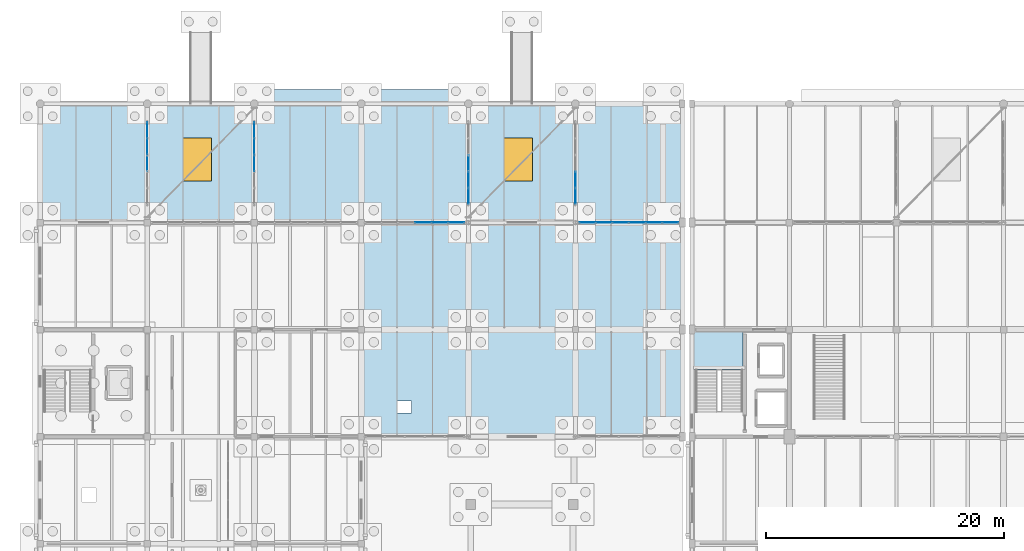
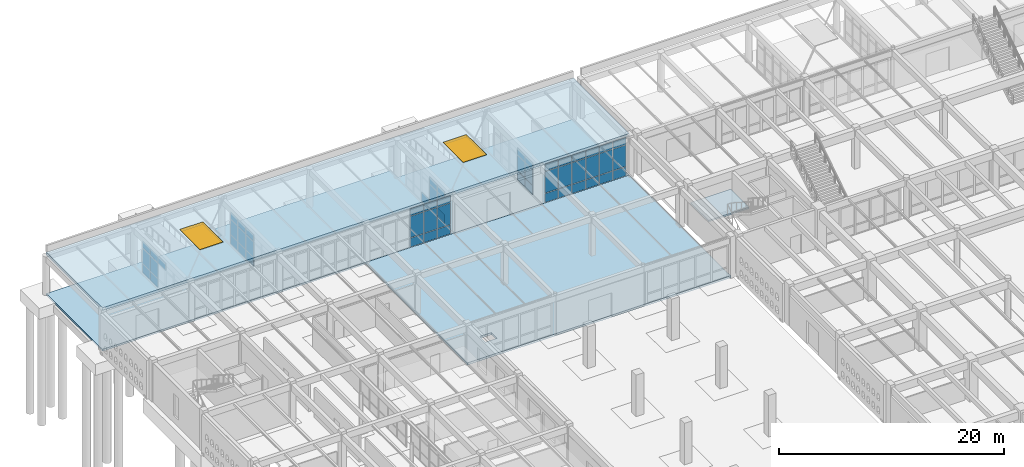
# One storey, part 146 of 186: 56 plates, 4 slabs, 2 windows, 2 openings, 7 elements without a shape of their own.
"""IFC4 building model written with IfcOpenShell, lengths in metres."""

from ifc_helpers import new_model, si_unit, direction, frame, origin, origin_2d, place, context, subcontext, project, spatial, polyline, rectangle, outline, extrude, material, layer, layer_set, type_object, element, fill, aggregate, save


model = new_model("IFC4")

# Units and contexts
model_context = context("Model", 3, precision=1e-05, world=origin(), true_north=direction((0.0, 1.0)))
body_context = subcontext(model_context, "Body", "Model", "MODEL_VIEW")
ifc_project = project(units=[si_unit("LENGTHUNIT", "METRE"), si_unit("AREAUNIT", "SQUARE_METRE"), si_unit("VOLUMEUNIT", "CUBIC_METRE"), si_unit("PLANEANGLEUNIT", "RADIAN"), si_unit("MASSUNIT", "GRAM", prefix="KILO")], contexts=[model_context])

# Site, building, storey
site_placement = place(None, origin())
site = spatial("IfcSite", under=ifc_project, at=site_placement, CompositionType="ELEMENT")
building_placement = place(site_placement, origin())
building = spatial("IfcBuilding", under=site, at=building_placement, Name="Ornek Quay Market", CompositionType="ELEMENT")
storey_placement = place(building_placement, origin())
storey = spatial("IfcBuildingStorey", under=building, at=storey_placement, Name="L00", CompositionType="ELEMENT", Elevation=0.0)

# Curtain wall, plates
ifc_material_1 = material(Name="Anodised bronze aluminium and triple low-e glass", Category="aluminium")
ifc_layer_1 = layer(ifc_material_1, 0.179931640625, Name="Anodised bronze aluminium and triple low-e glass", Category="aluminium")
ifc_layer_set_1 = layer_set([ifc_layer_1], Name="Anodised bronze aluminium and triple low-e glass")
curtain_wall_type_1 = type_object("IfcCurtainWallType", Name="CW-CONC-MOD1500", PredefinedType="USERDEFINED", material=ifc_layer_set_1)
curtain_wall_1_placement = place(storey_placement, origin())
curtain_wall_1 = element("IfcCurtainWall", 1, at=curtain_wall_1_placement, inside=storey, type_object=curtain_wall_type_1, Name="Curtain wall CW-005", ObjectType="CURTAIN WALL", PredefinedType="USERDEFINED")
ifc_material_2 = material(Name="Triple insulated low-e glass", Category="glass")
ifc_layer_2 = layer(ifc_material_2, 0.035888671875, Name="Triple insulated low-e glass", Category="glass")
ifc_layer_set_2 = layer_set([ifc_layer_2], Name="Triple insulated low-e glass")
plate_type = type_object("IfcPlateType", Name="PL-CW-TRIPLE-36", PredefinedType="CURTAIN_PANEL", material=ifc_layer_set_2)
plate_1_placement = place(storey_placement, frame((32.199951171875, 110.0, 0.06005859375), z_axis=(0.0, 0.0, 1.0), x_axis=(1.0, 0.0, 0.0)))
plate_1 = element("IfcPlate", 2, at=plate_1_placement, type_object=plate_type, Name="CW-005 panel 4.1", PredefinedType="CURTAIN_PANEL", context=body_context, shape_type="SweptSolid", body=[
    extrude(rectangle(XDim=1.340087890625, YDim=0.035888671875, at=origin_2d()), origin(), (0.0, 0.0, 1.0), 0.9599609375),
])
plate_2_placement = place(storey_placement, frame((32.199951171875, 110.0, 1.080078125), z_axis=(0.0, 0.0, 1.0), x_axis=(1.0, 0.0, 0.0)))
plate_2 = element("IfcPlate", 3, at=plate_2_placement, type_object=plate_type, Name="CW-005 panel 4.2", PredefinedType="CURTAIN_PANEL", context=body_context, shape_type="SweptSolid", body=[
    extrude(rectangle(XDim=1.340087890625, YDim=0.035888671875, at=origin_2d()), origin(), (0.0, 0.0, 1.0), 2.31005859375),
])
plate_3_placement = place(storey_placement, frame((32.199951171875, 110.0, 3.4501953125), z_axis=(0.0, 0.0, 1.0), x_axis=(1.0, 0.0, 0.0)))
plate_3 = element("IfcPlate", 4, at=plate_3_placement, type_object=plate_type, Name="CW-005 panel 4.3", PredefinedType="CURTAIN_PANEL", context=body_context, shape_type="SweptSolid", body=[
    extrude(rectangle(XDim=1.340087890625, YDim=0.035888671875, at=origin_2d()), origin(), (0.0, 0.0, 1.0), 0.760009765625),
])
plate_4_placement = place(storey_placement, frame((33.60009765625, 110.0, 0.06005859375), z_axis=(0.0, 0.0, 1.0), x_axis=(1.0, 0.0, 0.0)))
plate_4 = element("IfcPlate", 5, at=plate_4_placement, type_object=plate_type, Name="CW-005 panel 5.1", PredefinedType="CURTAIN_PANEL", context=body_context, shape_type="SweptSolid", body=[
    extrude(rectangle(XDim=1.340087890625, YDim=0.035888671875, at=origin_2d()), origin(), (0.0, 0.0, 1.0), 0.9599609375),
])
plate_5_placement = place(storey_placement, frame((33.60009765625, 110.0, 1.080078125), z_axis=(0.0, 0.0, 1.0), x_axis=(1.0, 0.0, 0.0)))
plate_5 = element("IfcPlate", 6, at=plate_5_placement, type_object=plate_type, Name="CW-005 panel 5.2", PredefinedType="CURTAIN_PANEL", context=body_context, shape_type="SweptSolid", body=[
    extrude(rectangle(XDim=1.340087890625, YDim=0.035888671875, at=origin_2d()), origin(), (0.0, 0.0, 1.0), 2.31005859375),
])
plate_6_placement = place(storey_placement, frame((33.60009765625, 110.0, 3.4501953125), z_axis=(0.0, 0.0, 1.0), x_axis=(1.0, 0.0, 0.0)))
plate_6 = element("IfcPlate", 7, at=plate_6_placement, type_object=plate_type, Name="CW-005 panel 5.3", PredefinedType="CURTAIN_PANEL", context=body_context, shape_type="SweptSolid", body=[
    extrude(rectangle(XDim=1.340087890625, YDim=0.035888671875, at=origin_2d()), origin(), (0.0, 0.0, 1.0), 0.760009765625),
])
plate_7_placement = place(storey_placement, frame((34.985107421875, 110.0, 0.06005859375), z_axis=(0.0, 0.0, 1.0), x_axis=(1.0, 0.0, 0.0)))
plate_7 = element("IfcPlate", 8, at=plate_7_placement, type_object=plate_type, Name="CW-005 panel 6.1", PredefinedType="CURTAIN_PANEL", context=body_context, shape_type="SweptSolid", body=[
    extrude(rectangle(XDim=1.31005859375, YDim=0.035888671875, at=origin_2d()), origin(), (0.0, 0.0, 1.0), 0.9599609375),
])
plate_8_placement = place(storey_placement, frame((34.985107421875, 110.0, 1.080078125), z_axis=(0.0, 0.0, 1.0), x_axis=(1.0, 0.0, 0.0)))
plate_8 = element("IfcPlate", 9, at=plate_8_placement, type_object=plate_type, Name="CW-005 panel 6.2", PredefinedType="CURTAIN_PANEL", context=body_context, shape_type="SweptSolid", body=[
    extrude(rectangle(XDim=1.31005859375, YDim=0.035888671875, at=origin_2d()), origin(), (0.0, 0.0, 1.0), 2.31005859375),
])
plate_9_placement = place(storey_placement, frame((34.985107421875, 110.0, 3.4501953125), z_axis=(0.0, 0.0, 1.0), x_axis=(1.0, 0.0, 0.0)))
plate_9 = element("IfcPlate", 10, at=plate_9_placement, type_object=plate_type, Name="CW-005 panel 6.3", PredefinedType="CURTAIN_PANEL", context=body_context, shape_type="SweptSolid", body=[
    extrude(rectangle(XDim=1.31005859375, YDim=0.035888671875, at=origin_2d()), origin(), (0.0, 0.0, 1.0), 0.760009765625),
])
aggregate(curtain_wall_1, [plate_1, plate_2, plate_3, plate_4, plate_5, plate_6, plate_7, plate_8, plate_9])

curtain_wall_2_placement = place(storey_placement, origin())
curtain_wall_2 = element("IfcCurtainWall", 11, at=curtain_wall_2_placement, inside=storey, type_object=curtain_wall_type_1, Name="Curtain wall CW-009", ObjectType="CURTAIN WALL", PredefinedType="USERDEFINED")
plate_10_placement = place(storey_placement, frame((46.014892578125, 110.0, 0.06005859375), z_axis=(0.0, 0.0, 1.0), x_axis=(1.0, 0.0, 0.0)))
plate_10 = element("IfcPlate", 12, at=plate_10_placement, type_object=plate_type, Name="CW-009 panel 1.1", PredefinedType="CURTAIN_PANEL", context=body_context, shape_type="SweptSolid", body=[
    extrude(rectangle(XDim=1.31005859375, YDim=0.035888671875, at=origin_2d()), origin(), (0.0, 0.0, 1.0), 0.9599609375),
])
plate_11_placement = place(storey_placement, frame((46.014892578125, 110.0, 1.080078125), z_axis=(0.0, 0.0, 1.0), x_axis=(1.0, 0.0, 0.0)))
plate_11 = element("IfcPlate", 13, at=plate_11_placement, type_object=plate_type, Name="CW-009 panel 1.2", PredefinedType="CURTAIN_PANEL", context=body_context, shape_type="SweptSolid", body=[
    extrude(rectangle(XDim=1.31005859375, YDim=0.035888671875, at=origin_2d()), origin(), (0.0, 0.0, 1.0), 2.31005859375),
])
plate_12_placement = place(storey_placement, frame((46.014892578125, 110.0, 3.4501953125), z_axis=(0.0, 0.0, 1.0), x_axis=(1.0, 0.0, 0.0)))
plate_12 = element("IfcPlate", 14, at=plate_12_placement, type_object=plate_type, Name="CW-009 panel 1.3", PredefinedType="CURTAIN_PANEL", context=body_context, shape_type="SweptSolid", body=[
    extrude(rectangle(XDim=1.31005859375, YDim=0.035888671875, at=origin_2d()), origin(), (0.0, 0.0, 1.0), 0.760009765625),
])
plate_13_placement = place(storey_placement, frame((47.39990234375, 110.0, 0.06005859375), z_axis=(0.0, 0.0, 1.0), x_axis=(1.0, 0.0, 0.0)))
plate_13 = element("IfcPlate", 15, at=plate_13_placement, type_object=plate_type, Name="CW-009 panel 2.1", PredefinedType="CURTAIN_PANEL", context=body_context, shape_type="SweptSolid", body=[
    extrude(rectangle(XDim=1.340087890625, YDim=0.035888671875, at=origin_2d()), origin(), (0.0, 0.0, 1.0), 0.9599609375),
])
plate_14_placement = place(storey_placement, frame((47.39990234375, 110.0, 1.080078125), z_axis=(0.0, 0.0, 1.0), x_axis=(1.0, 0.0, 0.0)))
plate_14 = element("IfcPlate", 16, at=plate_14_placement, type_object=plate_type, Name="CW-009 panel 2.2", PredefinedType="CURTAIN_PANEL", context=body_context, shape_type="SweptSolid", body=[
    extrude(rectangle(XDim=1.340087890625, YDim=0.035888671875, at=origin_2d()), origin(), (0.0, 0.0, 1.0), 2.31005859375),
])
plate_15_placement = place(storey_placement, frame((47.39990234375, 110.0, 3.4501953125), z_axis=(0.0, 0.0, 1.0), x_axis=(1.0, 0.0, 0.0)))
plate_15 = element("IfcPlate", 17, at=plate_15_placement, type_object=plate_type, Name="CW-009 panel 2.3", PredefinedType="CURTAIN_PANEL", context=body_context, shape_type="SweptSolid", body=[
    extrude(rectangle(XDim=1.340087890625, YDim=0.035888671875, at=origin_2d()), origin(), (0.0, 0.0, 1.0), 0.760009765625),
])
plate_16_placement = place(storey_placement, frame((48.800048828125, 110.0, 0.06005859375), z_axis=(0.0, 0.0, 1.0), x_axis=(1.0, 0.0, 0.0)))
plate_16 = element("IfcPlate", 18, at=plate_16_placement, type_object=plate_type, Name="CW-009 panel 3.1", PredefinedType="CURTAIN_PANEL", context=body_context, shape_type="SweptSolid", body=[
    extrude(rectangle(XDim=1.340087890625, YDim=0.035888671875, at=origin_2d()), origin(), (0.0, 0.0, 1.0), 0.9599609375),
])
plate_17_placement = place(storey_placement, frame((48.800048828125, 110.0, 1.080078125), z_axis=(0.0, 0.0, 1.0), x_axis=(1.0, 0.0, 0.0)))
plate_17 = element("IfcPlate", 19, at=plate_17_placement, type_object=plate_type, Name="CW-009 panel 3.2", PredefinedType="CURTAIN_PANEL", context=body_context, shape_type="SweptSolid", body=[
    extrude(rectangle(XDim=1.340087890625, YDim=0.035888671875, at=origin_2d()), origin(), (0.0, 0.0, 1.0), 2.31005859375),
])
plate_18_placement = place(storey_placement, frame((48.800048828125, 110.0, 3.4501953125), z_axis=(0.0, 0.0, 1.0), x_axis=(1.0, 0.0, 0.0)))
plate_18 = element("IfcPlate", 20, at=plate_18_placement, type_object=plate_type, Name="CW-009 panel 3.3", PredefinedType="CURTAIN_PANEL", context=body_context, shape_type="SweptSolid", body=[
    extrude(rectangle(XDim=1.340087890625, YDim=0.035888671875, at=origin_2d()), origin(), (0.0, 0.0, 1.0), 0.760009765625),
])
plate_19_placement = place(storey_placement, frame((50.199951171875, 110.0, 0.06005859375), z_axis=(0.0, 0.0, 1.0), x_axis=(1.0, 0.0, 0.0)))
plate_19 = element("IfcPlate", 21, at=plate_19_placement, type_object=plate_type, Name="CW-009 panel 4.1", PredefinedType="CURTAIN_PANEL", context=body_context, shape_type="SweptSolid", body=[
    extrude(rectangle(XDim=1.340087890625, YDim=0.035888671875, at=origin_2d()), origin(), (0.0, 0.0, 1.0), 0.9599609375),
])
plate_20_placement = place(storey_placement, frame((50.199951171875, 110.0, 1.080078125), z_axis=(0.0, 0.0, 1.0), x_axis=(1.0, 0.0, 0.0)))
plate_20 = element("IfcPlate", 22, at=plate_20_placement, type_object=plate_type, Name="CW-009 panel 4.2", PredefinedType="CURTAIN_PANEL", context=body_context, shape_type="SweptSolid", body=[
    extrude(rectangle(XDim=1.340087890625, YDim=0.035888671875, at=origin_2d()), origin(), (0.0, 0.0, 1.0), 2.31005859375),
])
plate_21_placement = place(storey_placement, frame((50.199951171875, 110.0, 3.4501953125), z_axis=(0.0, 0.0, 1.0), x_axis=(1.0, 0.0, 0.0)))
plate_21 = element("IfcPlate", 23, at=plate_21_placement, type_object=plate_type, Name="CW-009 panel 4.3", PredefinedType="CURTAIN_PANEL", context=body_context, shape_type="SweptSolid", body=[
    extrude(rectangle(XDim=1.340087890625, YDim=0.035888671875, at=origin_2d()), origin(), (0.0, 0.0, 1.0), 0.760009765625),
])
plate_22_placement = place(storey_placement, frame((51.60009765625, 110.0, 0.06005859375), z_axis=(0.0, 0.0, 1.0), x_axis=(1.0, 0.0, 0.0)))
plate_22 = element("IfcPlate", 24, at=plate_22_placement, type_object=plate_type, Name="CW-009 panel 5.1", PredefinedType="CURTAIN_PANEL", context=body_context, shape_type="SweptSolid", body=[
    extrude(rectangle(XDim=1.340087890625, YDim=0.035888671875, at=origin_2d()), origin(), (0.0, 0.0, 1.0), 0.9599609375),
])
plate_23_placement = place(storey_placement, frame((51.60009765625, 110.0, 1.080078125), z_axis=(0.0, 0.0, 1.0), x_axis=(1.0, 0.0, 0.0)))
plate_23 = element("IfcPlate", 25, at=plate_23_placement, type_object=plate_type, Name="CW-009 panel 5.2", PredefinedType="CURTAIN_PANEL", context=body_context, shape_type="SweptSolid", body=[
    extrude(rectangle(XDim=1.340087890625, YDim=0.035888671875, at=origin_2d()), origin(), (0.0, 0.0, 1.0), 2.31005859375),
])
plate_24_placement = place(storey_placement, frame((51.60009765625, 110.0, 3.4501953125), z_axis=(0.0, 0.0, 1.0), x_axis=(1.0, 0.0, 0.0)))
plate_24 = element("IfcPlate", 26, at=plate_24_placement, type_object=plate_type, Name="CW-009 panel 5.3", PredefinedType="CURTAIN_PANEL", context=body_context, shape_type="SweptSolid", body=[
    extrude(rectangle(XDim=1.340087890625, YDim=0.035888671875, at=origin_2d()), origin(), (0.0, 0.0, 1.0), 0.760009765625),
])
plate_25_placement = place(storey_placement, frame((52.985107421875, 110.0, 0.06005859375), z_axis=(0.0, 0.0, 1.0), x_axis=(1.0, 0.0, 0.0)))
plate_25 = element("IfcPlate", 27, at=plate_25_placement, type_object=plate_type, Name="CW-009 panel 6.1", PredefinedType="CURTAIN_PANEL", context=body_context, shape_type="SweptSolid", body=[
    extrude(rectangle(XDim=1.31005859375, YDim=0.035888671875, at=origin_2d()), origin(), (0.0, 0.0, 1.0), 0.9599609375),
])
plate_26_placement = place(storey_placement, frame((52.985107421875, 110.0, 1.080078125), z_axis=(0.0, 0.0, 1.0), x_axis=(1.0, 0.0, 0.0)))
plate_26 = element("IfcPlate", 28, at=plate_26_placement, type_object=plate_type, Name="CW-009 panel 6.2", PredefinedType="CURTAIN_PANEL", context=body_context, shape_type="SweptSolid", body=[
    extrude(rectangle(XDim=1.31005859375, YDim=0.035888671875, at=origin_2d()), origin(), (0.0, 0.0, 1.0), 2.31005859375),
])
plate_27_placement = place(storey_placement, frame((52.985107421875, 110.0, 3.4501953125), z_axis=(0.0, 0.0, 1.0), x_axis=(1.0, 0.0, 0.0)))
plate_27 = element("IfcPlate", 29, at=plate_27_placement, type_object=plate_type, Name="CW-009 panel 6.3", PredefinedType="CURTAIN_PANEL", context=body_context, shape_type="SweptSolid", body=[
    extrude(rectangle(XDim=1.31005859375, YDim=0.035888671875, at=origin_2d()), origin(), (0.0, 0.0, 1.0), 0.760009765625),
])
aggregate(curtain_wall_2, [plate_10, plate_11, plate_12, plate_13, plate_14, plate_15, plate_16, plate_17, plate_18, plate_19, plate_20, plate_21, plate_22, plate_23, plate_24, plate_25, plate_26, plate_27])

ifc_layer_3 = layer(ifc_material_1, 0.219970703125, Name="Anodised bronze aluminium and triple low-e glass", Category="aluminium")
ifc_layer_set_3 = layer_set([ifc_layer_3], Name="Anodised bronze aluminium and triple low-e glass")
curtain_wall_type_2 = type_object("IfcCurtainWallType", Name="CW-PORCH-MOD1500", PredefinedType="USERDEFINED", material=ifc_layer_set_3)
curtain_wall_3_placement = place(storey_placement, origin())
curtain_wall_3 = element("IfcCurtainWall", 30, at=curtain_wall_3_placement, inside=storey, type_object=curtain_wall_type_2, Name="Curtain wall CW-147", ObjectType="CURTAIN WALL", PredefinedType="USERDEFINED")
plate_28_placement = place(storey_placement, frame((9.0, 115.0, 2.784912109375), z_axis=(0.0, 0.0, 1.0), x_axis=(0.0, 1.0, 0.0)))
plate_28 = element("IfcPlate", 31, at=plate_28_placement, type_object=plate_type, Name="CW-147 panel 3.3", PredefinedType="CURTAIN_PANEL", context=body_context, shape_type="SweptSolid", body=[
    extrude(rectangle(XDim=1.330078125, YDim=0.035888671875, at=origin_2d()), origin(), (0.0, 0.0, 1.0), 0.7451171875),
])
plate_29_placement = place(storey_placement, frame((9.0, 116.39990234375, 0.06982421875), z_axis=(0.0, 0.0, 1.0), x_axis=(0.0, 1.0, 0.0)))
plate_29 = element("IfcPlate", 32, at=plate_29_placement, type_object=plate_type, Name="CW-147 panel 4.1", PredefinedType="CURTAIN_PANEL", context=body_context, shape_type="SweptSolid", body=[
    extrude(rectangle(XDim=1.330078125, YDim=0.035888671875, at=origin_2d()), origin(), (0.0, 0.0, 1.0), 0.945068359375),
])
plate_30_placement = place(storey_placement, frame((9.0, 116.39990234375, 1.0849609375), z_axis=(0.0, 0.0, 1.0), x_axis=(0.0, 1.0, 0.0)))
plate_30 = element("IfcPlate", 33, at=plate_30_placement, type_object=plate_type, Name="CW-147 panel 4.2", PredefinedType="CURTAIN_PANEL", context=body_context, shape_type="SweptSolid", body=[
    extrude(rectangle(XDim=1.330078125, YDim=0.035888671875, at=origin_2d()), origin(), (0.0, 0.0, 1.0), 1.6298828125),
])
plate_31_placement = place(storey_placement, frame((9.0, 116.39990234375, 2.784912109375), z_axis=(0.0, 0.0, 1.0), x_axis=(0.0, 1.0, 0.0)))
plate_31 = element("IfcPlate", 34, at=plate_31_placement, type_object=plate_type, Name="CW-147 panel 4.3", PredefinedType="CURTAIN_PANEL", context=body_context, shape_type="SweptSolid", body=[
    extrude(rectangle(XDim=1.330078125, YDim=0.035888671875, at=origin_2d()), origin(), (0.0, 0.0, 1.0), 0.7451171875),
])
plate_32_placement = place(storey_placement, frame((9.0, 117.782470703125, 0.06982421875), z_axis=(0.0, 0.0, 1.0), x_axis=(0.0, 1.0, 0.0)))
plate_32 = element("IfcPlate", 35, at=plate_32_placement, type_object=plate_type, Name="CW-147 panel 5.1", PredefinedType="CURTAIN_PANEL", context=body_context, shape_type="SweptSolid", body=[
    extrude(rectangle(XDim=1.294921875, YDim=0.035888671875, at=origin_2d()), origin(), (0.0, 0.0, 1.0), 0.945068359375),
])
plate_33_placement = place(storey_placement, frame((9.0, 117.782470703125, 1.0849609375), z_axis=(0.0, 0.0, 1.0), x_axis=(0.0, 1.0, 0.0)))
plate_33 = element("IfcPlate", 36, at=plate_33_placement, type_object=plate_type, Name="CW-147 panel 5.2", PredefinedType="CURTAIN_PANEL", context=body_context, shape_type="SweptSolid", body=[
    extrude(rectangle(XDim=1.294921875, YDim=0.035888671875, at=origin_2d()), origin(), (0.0, 0.0, 1.0), 1.6298828125),
])
plate_34_placement = place(storey_placement, frame((9.0, 117.782470703125, 2.784912109375), z_axis=(0.0, 0.0, 1.0), x_axis=(0.0, 1.0, 0.0)))
plate_34 = element("IfcPlate", 37, at=plate_34_placement, type_object=plate_type, Name="CW-147 panel 5.3", PredefinedType="CURTAIN_PANEL", context=body_context, shape_type="SweptSolid", body=[
    extrude(rectangle(XDim=1.294921875, YDim=0.035888671875, at=origin_2d()), origin(), (0.0, 0.0, 1.0), 0.7451171875),
])
aggregate(curtain_wall_3, [plate_28, plate_29, plate_30, plate_31, plate_32, plate_33, plate_34])

curtain_wall_4_placement = place(storey_placement, origin())
curtain_wall_4 = element("IfcCurtainWall", 38, at=curtain_wall_4_placement, inside=storey, type_object=curtain_wall_type_2, Name="Curtain wall CW-148", ObjectType="CURTAIN WALL", PredefinedType="USERDEFINED")
plate_35_placement = place(storey_placement, frame((18.0, 115.0, 0.06982421875), z_axis=(0.0, 0.0, 1.0), x_axis=(0.0, 1.0, 0.0)))
plate_35 = element("IfcPlate", 39, at=plate_35_placement, type_object=plate_type, Name="CW-148 panel 3.1", PredefinedType="CURTAIN_PANEL", context=body_context, shape_type="SweptSolid", body=[
    extrude(rectangle(XDim=1.330078125, YDim=0.035888671875, at=origin_2d()), origin(), (0.0, 0.0, 1.0), 0.945068359375),
])
plate_36_placement = place(storey_placement, frame((18.0, 115.0, 1.0849609375), z_axis=(0.0, 0.0, 1.0), x_axis=(0.0, 1.0, 0.0)))
plate_36 = element("IfcPlate", 40, at=plate_36_placement, type_object=plate_type, Name="CW-148 panel 3.2", PredefinedType="CURTAIN_PANEL", context=body_context, shape_type="SweptSolid", body=[
    extrude(rectangle(XDim=1.330078125, YDim=0.035888671875, at=origin_2d()), origin(), (0.0, 0.0, 1.0), 1.6298828125),
])
plate_37_placement = place(storey_placement, frame((18.0, 115.0, 2.784912109375), z_axis=(0.0, 0.0, 1.0), x_axis=(0.0, 1.0, 0.0)))
plate_37 = element("IfcPlate", 41, at=plate_37_placement, type_object=plate_type, Name="CW-148 panel 3.3", PredefinedType="CURTAIN_PANEL", context=body_context, shape_type="SweptSolid", body=[
    extrude(rectangle(XDim=1.330078125, YDim=0.035888671875, at=origin_2d()), origin(), (0.0, 0.0, 1.0), 0.7451171875),
])
plate_38_placement = place(storey_placement, frame((18.0, 116.39990234375, 0.06982421875), z_axis=(0.0, 0.0, 1.0), x_axis=(0.0, 1.0, 0.0)))
plate_38 = element("IfcPlate", 42, at=plate_38_placement, type_object=plate_type, Name="CW-148 panel 4.1", PredefinedType="CURTAIN_PANEL", context=body_context, shape_type="SweptSolid", body=[
    extrude(rectangle(XDim=1.330078125, YDim=0.035888671875, at=origin_2d()), origin(), (0.0, 0.0, 1.0), 0.945068359375),
])
plate_39_placement = place(storey_placement, frame((18.0, 116.39990234375, 1.0849609375), z_axis=(0.0, 0.0, 1.0), x_axis=(0.0, 1.0, 0.0)))
plate_39 = element("IfcPlate", 43, at=plate_39_placement, type_object=plate_type, Name="CW-148 panel 4.2", PredefinedType="CURTAIN_PANEL", context=body_context, shape_type="SweptSolid", body=[
    extrude(rectangle(XDim=1.330078125, YDim=0.035888671875, at=origin_2d()), origin(), (0.0, 0.0, 1.0), 1.6298828125),
])
plate_40_placement = place(storey_placement, frame((18.0, 116.39990234375, 2.784912109375), z_axis=(0.0, 0.0, 1.0), x_axis=(0.0, 1.0, 0.0)))
plate_40 = element("IfcPlate", 44, at=plate_40_placement, type_object=plate_type, Name="CW-148 panel 4.3", PredefinedType="CURTAIN_PANEL", context=body_context, shape_type="SweptSolid", body=[
    extrude(rectangle(XDim=1.330078125, YDim=0.035888671875, at=origin_2d()), origin(), (0.0, 0.0, 1.0), 0.7451171875),
])
plate_41_placement = place(storey_placement, frame((18.0, 117.782470703125, 0.06982421875), z_axis=(0.0, 0.0, 1.0), x_axis=(0.0, 1.0, 0.0)))
plate_41 = element("IfcPlate", 45, at=plate_41_placement, type_object=plate_type, Name="CW-148 panel 5.1", PredefinedType="CURTAIN_PANEL", context=body_context, shape_type="SweptSolid", body=[
    extrude(rectangle(XDim=1.294921875, YDim=0.035888671875, at=origin_2d()), origin(), (0.0, 0.0, 1.0), 0.945068359375),
])
plate_42_placement = place(storey_placement, frame((18.0, 117.782470703125, 1.0849609375), z_axis=(0.0, 0.0, 1.0), x_axis=(0.0, 1.0, 0.0)))
plate_42 = element("IfcPlate", 46, at=plate_42_placement, type_object=plate_type, Name="CW-148 panel 5.2", PredefinedType="CURTAIN_PANEL", context=body_context, shape_type="SweptSolid", body=[
    extrude(rectangle(XDim=1.294921875, YDim=0.035888671875, at=origin_2d()), origin(), (0.0, 0.0, 1.0), 1.6298828125),
])
plate_43_placement = place(storey_placement, frame((18.0, 117.782470703125, 2.784912109375), z_axis=(0.0, 0.0, 1.0), x_axis=(0.0, 1.0, 0.0)))
plate_43 = element("IfcPlate", 47, at=plate_43_placement, type_object=plate_type, Name="CW-148 panel 5.3", PredefinedType="CURTAIN_PANEL", context=body_context, shape_type="SweptSolid", body=[
    extrude(rectangle(XDim=1.294921875, YDim=0.035888671875, at=origin_2d()), origin(), (0.0, 0.0, 1.0), 0.7451171875),
])
aggregate(curtain_wall_4, [plate_35, plate_36, plate_37, plate_38, plate_39, plate_40, plate_41, plate_42, plate_43])

curtain_wall_5_placement = place(storey_placement, origin())
curtain_wall_5 = element("IfcCurtainWall", 48, at=curtain_wall_5_placement, inside=storey, type_object=curtain_wall_type_2, Name="Curtain wall CW-149", ObjectType="CURTAIN WALL", PredefinedType="USERDEFINED")
plate_44_placement = place(storey_placement, frame((36.0, 112.217529296875, 0.06982421875), z_axis=(0.0, 0.0, 1.0), x_axis=(0.0, 1.0, 0.0)))
plate_44 = element("IfcPlate", 49, at=plate_44_placement, type_object=plate_type, Name="CW-149 panel 1.1", PredefinedType="CURTAIN_PANEL", context=body_context, shape_type="SweptSolid", body=[
    extrude(rectangle(XDim=1.294921875, YDim=0.035888671875, at=origin_2d()), origin(), (0.0, 0.0, 1.0), 0.945068359375),
])
plate_45_placement = place(storey_placement, frame((36.0, 112.217529296875, 1.0849609375), z_axis=(0.0, 0.0, 1.0), x_axis=(0.0, 1.0, 0.0)))
plate_45 = element("IfcPlate", 50, at=plate_45_placement, type_object=plate_type, Name="CW-149 panel 1.2", PredefinedType="CURTAIN_PANEL", context=body_context, shape_type="SweptSolid", body=[
    extrude(rectangle(XDim=1.294921875, YDim=0.035888671875, at=origin_2d()), origin(), (0.0, 0.0, 1.0), 1.6298828125),
])
plate_46_placement = place(storey_placement, frame((36.0, 112.217529296875, 2.784912109375), z_axis=(0.0, 0.0, 1.0), x_axis=(0.0, 1.0, 0.0)))
plate_46 = element("IfcPlate", 51, at=plate_46_placement, type_object=plate_type, Name="CW-149 panel 1.3", PredefinedType="CURTAIN_PANEL", context=body_context, shape_type="SweptSolid", body=[
    extrude(rectangle(XDim=1.294921875, YDim=0.035888671875, at=origin_2d()), origin(), (0.0, 0.0, 1.0), 0.7451171875),
])
plate_47_placement = place(storey_placement, frame((36.0, 113.60009765625, 0.06982421875), z_axis=(0.0, 0.0, 1.0), x_axis=(0.0, 1.0, 0.0)))
plate_47 = element("IfcPlate", 52, at=plate_47_placement, type_object=plate_type, Name="CW-149 panel 2.1", PredefinedType="CURTAIN_PANEL", context=body_context, shape_type="SweptSolid", body=[
    extrude(rectangle(XDim=1.330078125, YDim=0.035888671875, at=origin_2d()), origin(), (0.0, 0.0, 1.0), 0.945068359375),
])
plate_48_placement = place(storey_placement, frame((36.0, 113.60009765625, 1.0849609375), z_axis=(0.0, 0.0, 1.0), x_axis=(0.0, 1.0, 0.0)))
plate_48 = element("IfcPlate", 53, at=plate_48_placement, type_object=plate_type, Name="CW-149 panel 2.2", PredefinedType="CURTAIN_PANEL", context=body_context, shape_type="SweptSolid", body=[
    extrude(rectangle(XDim=1.330078125, YDim=0.035888671875, at=origin_2d()), origin(), (0.0, 0.0, 1.0), 1.6298828125),
])
plate_49_placement = place(storey_placement, frame((36.0, 113.60009765625, 2.784912109375), z_axis=(0.0, 0.0, 1.0), x_axis=(0.0, 1.0, 0.0)))
plate_49 = element("IfcPlate", 54, at=plate_49_placement, type_object=plate_type, Name="CW-149 panel 2.3", PredefinedType="CURTAIN_PANEL", context=body_context, shape_type="SweptSolid", body=[
    extrude(rectangle(XDim=1.330078125, YDim=0.035888671875, at=origin_2d()), origin(), (0.0, 0.0, 1.0), 0.7451171875),
])
plate_50_placement = place(storey_placement, frame((36.0, 115.0, 0.06982421875), z_axis=(0.0, 0.0, 1.0), x_axis=(0.0, 1.0, 0.0)))
plate_50 = element("IfcPlate", 55, at=plate_50_placement, type_object=plate_type, Name="CW-149 panel 3.1", PredefinedType="CURTAIN_PANEL", context=body_context, shape_type="SweptSolid", body=[
    extrude(rectangle(XDim=1.330078125, YDim=0.035888671875, at=origin_2d()), origin(), (0.0, 0.0, 1.0), 0.945068359375),
])
aggregate(curtain_wall_5, [plate_44, plate_45, plate_46, plate_47, plate_48, plate_49, plate_50])

curtain_wall_6_placement = place(storey_placement, origin())
curtain_wall_6 = element("IfcCurtainWall", 56, at=curtain_wall_6_placement, inside=storey, type_object=curtain_wall_type_2, Name="Curtain wall CW-150", ObjectType="CURTAIN WALL", PredefinedType="USERDEFINED")
plate_51_placement = place(storey_placement, frame((45.0, 112.217529296875, 0.06982421875), z_axis=(0.0, 0.0, 1.0), x_axis=(0.0, 1.0, 0.0)))
plate_51 = element("IfcPlate", 57, at=plate_51_placement, type_object=plate_type, Name="CW-150 panel 1.1", PredefinedType="CURTAIN_PANEL", context=body_context, shape_type="SweptSolid", body=[
    extrude(rectangle(XDim=1.294921875, YDim=0.035888671875, at=origin_2d()), origin(), (0.0, 0.0, 1.0), 0.945068359375),
])
plate_52_placement = place(storey_placement, frame((45.0, 112.217529296875, 1.0849609375), z_axis=(0.0, 0.0, 1.0), x_axis=(0.0, 1.0, 0.0)))
plate_52 = element("IfcPlate", 58, at=plate_52_placement, type_object=plate_type, Name="CW-150 panel 1.2", PredefinedType="CURTAIN_PANEL", context=body_context, shape_type="SweptSolid", body=[
    extrude(rectangle(XDim=1.294921875, YDim=0.035888671875, at=origin_2d()), origin(), (0.0, 0.0, 1.0), 1.6298828125),
])
plate_53_placement = place(storey_placement, frame((45.0, 112.217529296875, 2.784912109375), z_axis=(0.0, 0.0, 1.0), x_axis=(0.0, 1.0, 0.0)))
plate_53 = element("IfcPlate", 59, at=plate_53_placement, type_object=plate_type, Name="CW-150 panel 1.3", PredefinedType="CURTAIN_PANEL", context=body_context, shape_type="SweptSolid", body=[
    extrude(rectangle(XDim=1.294921875, YDim=0.035888671875, at=origin_2d()), origin(), (0.0, 0.0, 1.0), 0.7451171875),
])
plate_54_placement = place(storey_placement, frame((45.0, 113.60009765625, 0.06982421875), z_axis=(0.0, 0.0, 1.0), x_axis=(0.0, 1.0, 0.0)))
plate_54 = element("IfcPlate", 60, at=plate_54_placement, type_object=plate_type, Name="CW-150 panel 2.1", PredefinedType="CURTAIN_PANEL", context=body_context, shape_type="SweptSolid", body=[
    extrude(rectangle(XDim=1.330078125, YDim=0.035888671875, at=origin_2d()), origin(), (0.0, 0.0, 1.0), 0.945068359375),
])
plate_55_placement = place(storey_placement, frame((45.0, 113.60009765625, 1.0849609375), z_axis=(0.0, 0.0, 1.0), x_axis=(0.0, 1.0, 0.0)))
plate_55 = element("IfcPlate", 61, at=plate_55_placement, type_object=plate_type, Name="CW-150 panel 2.2", PredefinedType="CURTAIN_PANEL", context=body_context, shape_type="SweptSolid", body=[
    extrude(rectangle(XDim=1.330078125, YDim=0.035888671875, at=origin_2d()), origin(), (0.0, 0.0, 1.0), 1.6298828125),
])
plate_56_placement = place(storey_placement, frame((45.0, 113.60009765625, 2.784912109375), z_axis=(0.0, 0.0, 1.0), x_axis=(0.0, 1.0, 0.0)))
plate_56 = element("IfcPlate", 62, at=plate_56_placement, type_object=plate_type, Name="CW-150 panel 2.3", PredefinedType="CURTAIN_PANEL", context=body_context, shape_type="SweptSolid", body=[
    extrude(rectangle(XDim=1.330078125, YDim=0.035888671875, at=origin_2d()), origin(), (0.0, 0.0, 1.0), 0.7451171875),
])
aggregate(curtain_wall_6, [plate_51, plate_52, plate_53, plate_54, plate_55, plate_56])

# Slabs
ifc_material_3 = material(Name="Concrete C40/50", Category="concrete")
ifc_layer_4 = layer(ifc_material_3, 0.199951171875, Name="Concrete C40/50", Category="concrete")
ifc_layer_set_4 = layer_set([ifc_layer_4], Name="Concrete C40/50")
slab_type_1 = type_object("IfcSlabType", Name="SL-EXT-QUAY-200", PredefinedType="FLOOR", material=ifc_layer_set_4)
slab_1_placement = place(storey_placement, frame((0.0, 0.0, -0.199951171875)))
element("IfcSlab", 63, at=slab_1_placement, inside=storey, type_object=slab_type_1, Name="Slab S-009 (L00)", PredefinedType="FLOOR", context=body_context, shape_type="SweptSolid", body=[
    extrude(outline(polyline([(0.0, 110.0), (54.0, 110.0), (54.0, 120.0), (36.0, 120.0), (36.0, 121.199951171875), (18.0, 121.199951171875), (18.0, 120.0), (0.0, 120.0), (0.0, 110.0)])), origin(), (0.0, 0.0, 1.0), 0.199951171875),
])
ifc_material_4 = material(Name="Concrete C35/45", Category="concrete")
ifc_layer_5 = layer(ifc_material_4, 0.22998046875, Name="Concrete C35/45", Category="concrete")
ifc_layer_set_5 = layer_set([ifc_layer_5], Name="Concrete C35/45")
slab_type_2 = type_object("IfcSlabType", Name="SL-FLR-CONC-230", PredefinedType="FLOOR", material=ifc_layer_set_5)
slab_2_placement = place(storey_placement, frame((0.0, 0.0, -0.22998046875)))
element("IfcSlab", 64, at=slab_2_placement, inside=storey, type_object=slab_type_2, Name="Slab S-006 (L00)", PredefinedType="FLOOR", context=body_context, shape_type="SweptSolid", body=[
    extrude(outline(polyline([(27.0, 92.0), (54.0, 92.0), (54.0, 110.0), (27.0, 110.0), (27.0, 92.0)]), holes=[polyline([(30.0, 95.0), (31.199951171875, 95.0), (31.199951171875, 94.0), (30.0, 94.0), (30.0, 95.0)])]), origin(), (0.0, 0.0, 1.0), 0.22998046875),
])

# Stair, slab
ifc_material_5 = material(Name="Precast concrete C40/50", Category="concrete")
stair_type = type_object("IfcStairType", Name="ST-CORE-L00-L01", PredefinedType="HALF_TURN_STAIR", material=ifc_material_5)
stair_placement = place(storey_placement, origin())
stair = element("IfcStair", 65, at=stair_placement, inside=storey, type_object=stair_type, Name="Core stair ST-03-L00 (L00 to L01)", PredefinedType="HALF_TURN_STAIR")
ifc_layer_6 = layer(ifc_material_5, 0.1650390625, Name="Precast concrete C40/50", Category="concrete")
ifc_layer_set_6 = layer_set([ifc_layer_6], Name="Precast concrete C40/50")
slab_type_3 = type_object("IfcSlabType", Name="SL-LND-165", PredefinedType="LANDING", material=ifc_layer_set_6)
slab_3_placement = place(storey_placement, frame((0.0, 0.0, 2.0849609375)))
slab_3 = element("IfcSlab", 66, at=slab_3_placement, type_object=slab_type_3, Name="ST-03-L00 landing 1", PredefinedType="LANDING", context=body_context, shape_type="SweptSolid", body=[
    extrude(outline(polyline([(54.9599609375, 97.592041015625), (59.10009765625, 97.592041015625), (59.10009765625, 100.840087890625), (54.9599609375, 100.840087890625), (54.9599609375, 97.592041015625)])), origin(), (0.0, 0.0, 1.0), 0.1650390625),
])
aggregate(stair, [slab_3])

# Slab, openings, windows
ifc_layer_7 = layer(ifc_material_4, 0.31005859375, Name="Concrete C35/45", Category="concrete")
ifc_layer_set_7 = layer_set([ifc_layer_7], Name="Concrete C35/45")
slab_type_4 = type_object("IfcSlabType", Name="SL-RF-WING-310", PredefinedType="ROOF", material=ifc_layer_set_7)
slab_4_placement = place(storey_placement, frame((0.0, 0.0, 4.18994140625)))
slab_4 = element("IfcSlab", 67, at=slab_4_placement, inside=storey, type_object=slab_type_4, Name="Slab S-028 (L00)", PredefinedType="ROOF", context=body_context, shape_type="SweptSolid", body=[
    extrude(outline(polyline([(0.0, 110.0), (54.0, 110.0), (54.0, 120.0), (0.0, 120.0), (0.0, 110.0)]), holes=[polyline([(14.39990234375, 117.10009765625), (14.39990234375, 113.5), (12.0, 113.5), (12.0, 117.10009765625), (14.39990234375, 117.10009765625)]), polyline([(41.39990234375, 117.10009765625), (41.39990234375, 113.5), (39.0, 113.5), (39.0, 117.10009765625), (41.39990234375, 117.10009765625)])]), origin(), (0.0, 0.0, 1.0), 0.31005859375),
])
opening_1_placement = place(slab_4_placement, frame((13.199951171875, 115.300048828125, -0.010009765625)))
opening_1 = element("IfcOpeningElement", 68, at=opening_1_placement, cuts=slab_4, Name="Opening SK-01-01", PredefinedType="OPENING", context=body_context, shape_type="SweptSolid", body=[
    extrude(rectangle(XDim=2.39990234375, YDim=3.60009765625, at=origin_2d()), origin(), (0.0, 0.0, 1.0), 0.330078125),
])
opening_2_placement = place(slab_4_placement, frame((40.199951171875, 115.300048828125, -0.010009765625)))
opening_2 = element("IfcOpeningElement", 69, at=opening_2_placement, cuts=slab_4, Name="Opening SK-01-02", PredefinedType="OPENING", context=body_context, shape_type="SweptSolid", body=[
    extrude(rectangle(XDim=2.39990234375, YDim=3.60009765625, at=origin_2d()), origin(), (0.0, 0.0, 1.0), 0.330078125),
])
ifc_material_6 = material(Name="Thermally broken bronze aluminium and triple low-e glass", Category="aluminium")
window_type = type_object("IfcWindowType", Name="WN-SKY-2400x3600", PartitioningType="SINGLE_PANEL", PredefinedType="SKYLIGHT", material=ifc_material_6)
window_1_placement = place(opening_1_placement, frame((0.0, 0.0, 0.27001953125)))
window_1 = element("IfcWindow", 70, at=window_1_placement, inside=storey, type_object=window_type, Name="Roof skylight SK-01-01", OverallHeight=3.60009765625, OverallWidth=2.39990234375, PartitioningType="SINGLE_PANEL", PredefinedType="SKYLIGHT", context=body_context, shape_type="SweptSolid", body=[
    extrude(rectangle(XDim=2.39990234375, YDim=3.60009765625, at=origin_2d()), origin(), (0.0, 0.0, 1.0), 0.050048828125),
])
fill(opening_1, window_1)
window_2_placement = place(opening_2_placement, frame((0.0, 0.0, 0.27001953125)))
window_2 = element("IfcWindow", 71, at=window_2_placement, inside=storey, type_object=window_type, Name="Roof skylight SK-01-02", OverallHeight=3.60009765625, OverallWidth=2.39990234375, PartitioningType="SINGLE_PANEL", PredefinedType="SKYLIGHT", context=body_context, shape_type="SweptSolid", body=[
    extrude(rectangle(XDim=2.39990234375, YDim=3.60009765625, at=origin_2d()), origin(), (0.0, 0.0, 1.0), 0.050048828125),
])
fill(opening_2, window_2)

save(model, "model.ifc")
